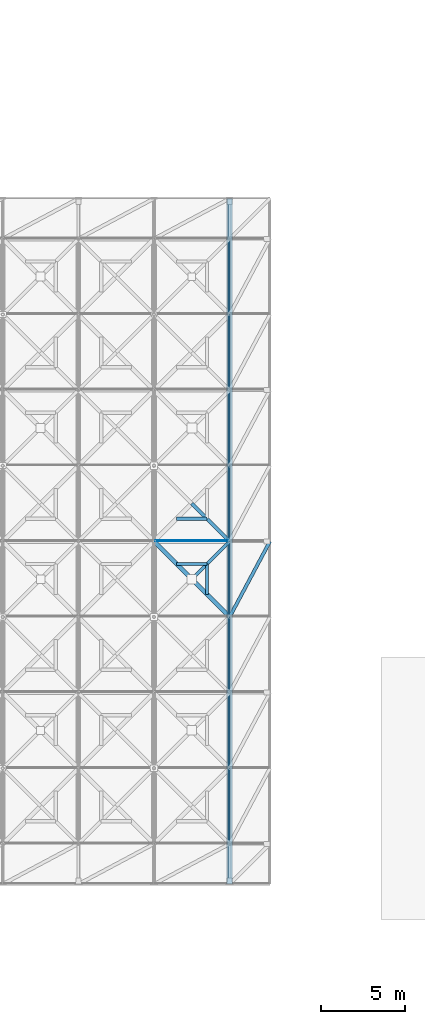
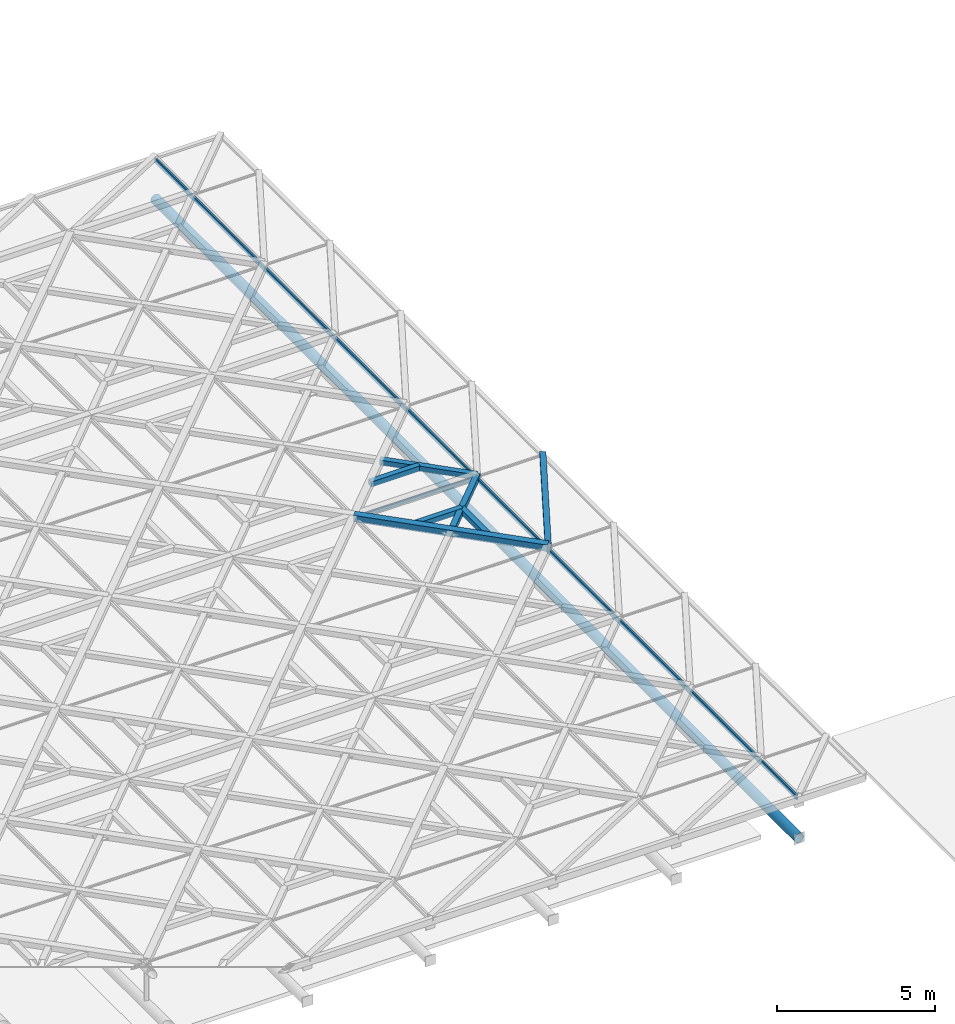
# One storey, part 50 of 80: 10 members, 1 element without a shape of its own.
"""IFC4 building model written with IfcOpenShell, lengths in metres."""

from ifc_helpers import new_model, si_unit, direction, frame, origin, origin_2d, place, context, subcontext, project, spatial, rectangle, hollow_rectangle, hollow_circle, extrude, material, material_profile, profile_set, type_object, element, aggregate, save


model = new_model("IFC4")

# Units and contexts
model_context = context("Model", 3, precision=1e-05, world=origin(), true_north=direction((0.0, 1.0)))
body_context = subcontext(model_context, "Body", "Model", "MODEL_VIEW")
ifc_project = project(units=[si_unit("LENGTHUNIT", "METRE"), si_unit("AREAUNIT", "SQUARE_METRE"), si_unit("VOLUMEUNIT", "CUBIC_METRE"), si_unit("PLANEANGLEUNIT", "RADIAN"), si_unit("MASSUNIT", "GRAM", prefix="KILO"), si_unit("THERMODYNAMICTEMPERATUREUNIT", "KELVIN"), si_unit("POWERUNIT", "WATT")], contexts=[model_context])

# Site, building, storey
site_placement = place(None, origin())
site = spatial("IfcSite", under=ifc_project, at=site_placement, CompositionType="ELEMENT")
building_placement = place(site_placement, origin())
building = spatial("IfcBuilding", under=site, at=building_placement, Name="Tallowbark Science Centre", CompositionType="ELEMENT")
storey_placement = place(building_placement, frame((0.0, 0.0, 25.949951171875)))
storey = spatial("IfcBuildingStorey", under=building, at=storey_placement, Name="ROOF", CompositionType="ELEMENT", Elevation=25.949951171875)

# Curtain wall, members
ifc_material_1 = material(Name="Blue-Tinted Laminated Low-E Skylight Glass", Category="glass")
curtain_wall_type = type_object("IfcCurtainWallType", Name="CW-SKY-ROOF", PredefinedType="NOTDEFINED", material=ifc_material_1)
curtain_wall_placement = place(storey_placement, origin())
curtain_wall = element("IfcCurtainWall", 1, at=curtain_wall_placement, inside=storey, type_object=curtain_wall_type, Name="Exhibition Star-Screen Skylight Bay 11", PredefinedType="NOTDEFINED")
ifc_material_2 = material(Name="Anodised Architectural Aluminium Alloy 6063-T6", Category="aluminium")
ifc_material_profile_1 = material_profile(ifc_material_2, rectangle(XDim=0.06494140625, YDim=0.179931640625, at=origin_2d()), Name="ALU65x180")
ifc_profile_set_1 = profile_set([ifc_material_profile_1], Name="Anodised Architectural Aluminium Alloy 6063-T6")
member_type_1 = type_object("IfcMemberType", Name="CWM-SKY-MUL", PredefinedType="MULLION", material=ifc_profile_set_1)
member_1_placement = place(storey_placement, frame((103.4599609375, 2.14990234375, 0.35205078125), z_axis=(0.0, 1.0, 0.0), x_axis=(-1.0, 0.0, 0.0)))
member_1 = element("IfcMember", 2, at=member_1_placement, type_object=member_type_1, Name="Skylight Bay 11 Mullion E", PredefinedType="MULLION", context=body_context, shape_type="SweptSolid", body=[
    extrude(rectangle(XDim=0.06494140625, YDim=0.179931640625, at=origin_2d()), origin(), (0.0, 0.0, 1.0), 40.7001953125),
])
ifc_material_profile_2 = material_profile(ifc_material_2, rectangle(XDim=0.054931640625, YDim=0.1201171875, at=origin_2d()), Name="ALU55x120")
ifc_profile_set_2 = profile_set([ifc_material_profile_2], Name="Anodised Architectural Aluminium Alloy 6063-T6")
member_type_2 = type_object("IfcMemberType", Name="CWM-SKY-TRN", PredefinedType="USERDEFINED", material=ifc_profile_set_2)
member_2_placement = place(storey_placement, frame((99.080078125, 22.5400390625, 0.35205078125), z_axis=(1.0, 0.0, 0.0), x_axis=(0.0, 1.0, 0.0)))
member_2 = element("IfcMember", 3, at=member_2_placement, type_object=member_type_2, Name="Skylight Bay 11 Transom 6", ObjectType="TRANSOM", PredefinedType="USERDEFINED", context=body_context, shape_type="SweptSolid", body=[
    extrude(rectangle(XDim=0.054931640625, YDim=0.1201171875, at=origin_2d()), origin(), (0.0, 0.0, 1.0), 4.33984375),
])
aggregate(curtain_wall, [member_1, member_2])

# Members
ifc_material_3 = material(Name="White Architectural Painted Steel Grade C350L0 (350 MPa)", Category="steel")
ifc_material_profile_3 = material_profile(ifc_material_3, hollow_rectangle(XDim=0.25, YDim=0.25, WallThickness=0.009033203125, at=origin_2d()), Name="250x250x9.0SHS")
ifc_profile_set_3 = profile_set([ifc_material_profile_3], Name="White Architectural Painted Steel Grade C350L0 (350 MPa)")
member_type_3 = type_object("IfcMemberType", Name="SCR-CHD200", PredefinedType="CHORD", material=ifc_profile_set_3)
member_3_placement = place(storey_placement, frame((103.5, 18.0, 0.449951171875), z_axis=(-0.707106781187, 0.707106781187, 0.0), x_axis=(-0.707106781187, -0.707106781187, 0.0)))
element("IfcMember", 4, at=member_3_placement, inside=storey, type_object=member_type_3, Name="Star Screen Octagram Diamond Chord TOP-71-2", PredefinedType="CHORD", context=body_context, shape_type="SweptSolid", body=[
    extrude(hollow_rectangle(XDim=0.25, YDim=0.25, WallThickness=0.009033203125, at=origin_2d()), origin(), (0.0, 0.0, 1.0), 6.364013671875),
])
ifc_material_profile_4 = material_profile(ifc_material_3, hollow_rectangle(XDim=0.199951171875, YDim=0.199951171875, WallThickness=0.009033203125, at=origin_2d()), Name="200x200x9.0SHS")
ifc_profile_set_4 = profile_set([ifc_material_profile_4], Name="White Architectural Painted Steel Grade C350L0 (350 MPa)")
member_type_4 = type_object("IfcMemberType", Name="SCR-STAR139", PredefinedType="BRACE", material=ifc_profile_set_4)
for number, where, z_axis, x_axis, name in (
    (5, (101.25, 20.25, 0.449951171875), (0.707106781187, 0.707106781187, 0.0), (-0.707106781187, 0.707106781187, 0.0), "Star Screen Continuous X-Diagonal D1B TOP-71"),
    (6, (101.25, 24.75, 0.449951171875), (0.707106781187, -0.707106781187, 0.0), (0.707106781187, 0.707106781187, 0.0), "Star Screen Split X-Diagonal D2D TOP-72"),
):
    element("IfcMember", number, at=place(storey_placement, frame(where, z_axis=z_axis, x_axis=x_axis)), inside=storey, type_object=member_type_4, Name=name, PredefinedType="BRACE", context=body_context, shape_type="SweptSolid", body=[
        extrude(hollow_rectangle(XDim=0.199951171875, YDim=0.199951171875, WallThickness=0.009033203125, at=origin_2d()), origin(), (0.0, 0.0, 1.0), 3.181884765625),
    ])
member_4_placement = place(storey_placement, frame((103.5, 18.0, 0.449951171875), z_axis=(0.470573327259, 0.882360891967, 0.0), x_axis=(-0.882360891967, 0.470573327259, 0.0)))
element("IfcMember", 7, at=member_4_placement, inside=storey, type_object=member_type_4, Name="Top Perimeter Gap Star Diagonal 12-5", PredefinedType="BRACE", context=body_context, shape_type="SweptSolid", body=[
    extrude(hollow_rectangle(XDim=0.199951171875, YDim=0.199951171875, WallThickness=0.009033203125, at=origin_2d()), origin(), (0.0, 0.0, 1.0), 5.099853515625),
])
ifc_material_profile_5 = material_profile(ifc_material_3, hollow_rectangle(XDim=0.199951171875, YDim=0.199951171875, WallThickness=0.009033203125, at=origin_2d()), Name="200x200x9.0SHS")
ifc_profile_set_5 = profile_set([ifc_material_profile_5], Name="White Architectural Painted Steel Grade C350L0 (350 MPa)")
member_type_5 = type_object("IfcMemberType", Name="SCR-SUB150", PredefinedType="BRACE", material=ifc_profile_set_5)
for number, where, z_axis, x_axis, name in (
    (8, (102.14990234375, 21.14990234375, 0.449951171875), (-1.0, 0.0, 0.0), (0.0, -1.0, 0.0), "Star Screen Octagram Point Ray TOP-71-5"),
    (9, (102.14990234375, 21.14990234375, 0.449951171875), (0.0, -1.0, 0.0), (1.0, 0.0, 0.0), "Star Screen Octagram Point Ray TOP-71-6"),
    (10, (102.14990234375, 23.85009765625, 0.449951171875), (-1.0, 0.0, 0.0), (0.0, -1.0, 0.0), "Star Screen Octagram Point Ray TOP-72-3"),
):
    element("IfcMember", number, at=place(storey_placement, frame(where, z_axis=z_axis, x_axis=x_axis)), inside=storey, type_object=member_type_5, Name=name, PredefinedType="BRACE", context=body_context, shape_type="SweptSolid", body=[
        extrude(hollow_rectangle(XDim=0.199951171875, YDim=0.199951171875, WallThickness=0.009033203125, at=origin_2d()), origin(), (0.0, 0.0, 1.0), 1.7998046875),
    ])
ifc_material_profile_6 = material_profile(ifc_material_3, hollow_circle(Radius=0.177734375, WallThickness=0.0126953125, at=origin_2d()), Name="355.6x12.7CHS")
ifc_profile_set_6 = profile_set([ifc_material_profile_6], Name="White Architectural Painted Steel Grade C350L0 (350 MPa)")
member_type_6 = type_object("IfcMemberType", Name="TR-CHD355", PredefinedType="CHORD", material=ifc_profile_set_6)
member_5_placement = place(storey_placement, frame((103.5, 2.10009765625, -1.199951171875), z_axis=(0.0, 1.0, 0.0), x_axis=(-1.0, 0.0, 0.0)))
element("IfcMember", 11, at=member_5_placement, inside=storey, type_object=member_type_6, Name="Exhibition Roof Truss Bottom Chord 11", PredefinedType="CHORD", context=body_context, shape_type="SweptSolid", body=[
    extrude(hollow_circle(Radius=0.177734375, WallThickness=0.0126953125, at=origin_2d()), origin(), (0.0, 0.0, 1.0), 40.7998046875),
])

save(model, "model.ifc")
